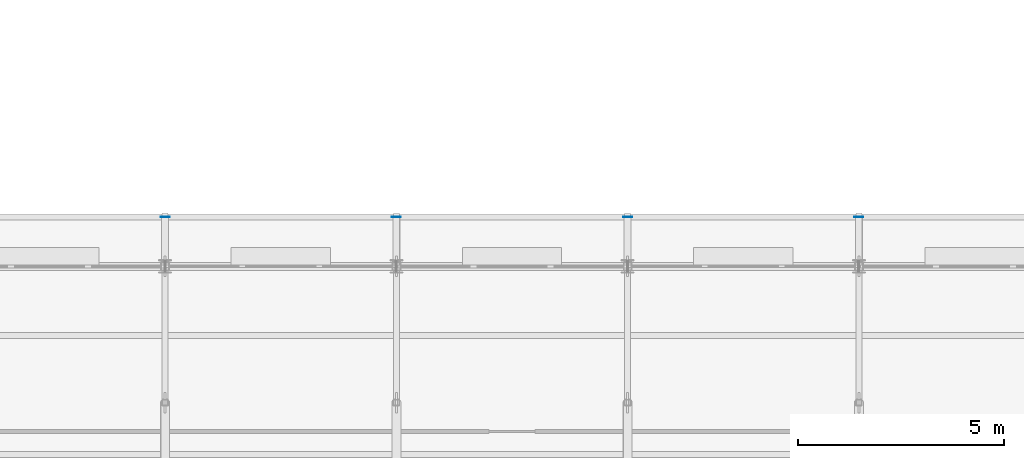
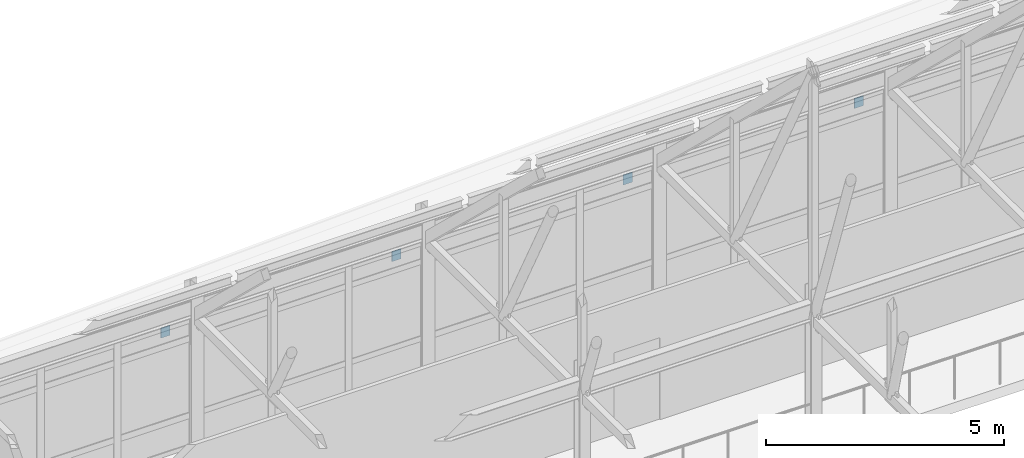
# One storey, part 117 of 144: 4 plates.
"""IFC4 building model written with IfcOpenShell, lengths in metres."""

from ifc_helpers import new_model, si_unit, direction, frame, origin, origin_2d, place, context, subcontext, project, spatial, rectangle, extrude, material, layer, layer_set, type_object, element, save


model = new_model("IFC4")

# Units and contexts
model_context = context("Model", 3, precision=1e-05, world=origin(), true_north=direction((0.0, 1.0)))
body_context = subcontext(model_context, "Body", "Model", "MODEL_VIEW")
ifc_project = project(units=[si_unit("LENGTHUNIT", "METRE"), si_unit("AREAUNIT", "SQUARE_METRE"), si_unit("VOLUMEUNIT", "CUBIC_METRE"), si_unit("PLANEANGLEUNIT", "RADIAN"), si_unit("MASSUNIT", "GRAM", prefix="KILO")], contexts=[model_context])

# Site, building, storey
site_placement = place(None, origin())
site = spatial("IfcSite", under=ifc_project, at=site_placement, CompositionType="ELEMENT")
building_placement = place(site_placement, origin())
building = spatial("IfcBuilding", under=site, at=building_placement, Name="Trelmorton Wharf Fire Station", CompositionType="ELEMENT")
storey_placement = place(building_placement, frame((0.0, 0.0, 5.39990234375)))
storey = spatial("IfcBuildingStorey", under=building, at=storey_placement, Name="L01", CompositionType="ELEMENT", Elevation=5.39990234375)

# Plates
ifc_material = material(Name="Steel Grade 350", Category="steel")
ifc_layer = layer(ifc_material, 0.011962890625)
ifc_layer_set = layer_set([ifc_layer], Name="Steel Grade 350")
plate_type = type_object("IfcPlateType", Name="PL_ENDCAP_12", PredefinedType="SHEET", material=ifc_layer_set)
for number, where, z_axis, x_axis, name in (
    (1, (34.39990234375, 35.39990234375, 2.076171875), (0.0, 0.0, 1.0), (1.0, 0.0, 0.0), "PL-EC-0027"),
    (2, (40.0, 35.39990234375, 2.076171875), (0.0, 0.0, 1.0), (1.0, 0.0, 0.0), "PL-EC-0031"),
    (3, (45.60009765625, 35.39990234375, 2.076171875), (0.0, 0.0, 1.0), (1.0, 0.0, 0.0), "PL-EC-0035"),
    (4, (51.199951171875, 35.39990234375, 2.076171875), (0.0, 0.0, 1.0), (1.0, 0.0, 0.0), "PL-EC-0039"),
):
    element("IfcPlate", number, at=place(storey_placement, frame(where, z_axis=z_axis, x_axis=x_axis)), inside=storey, type_object=plate_type, Name=name, PredefinedType="SHEET", context=body_context, shape_type="SweptSolid", body=[
        extrude(rectangle(XDim=0.219970703125, YDim=0.011962890625, at=origin_2d()), origin(), (0.0, 0.0, 1.0), 0.260009765625),
    ])

save(model, "model.ifc")
